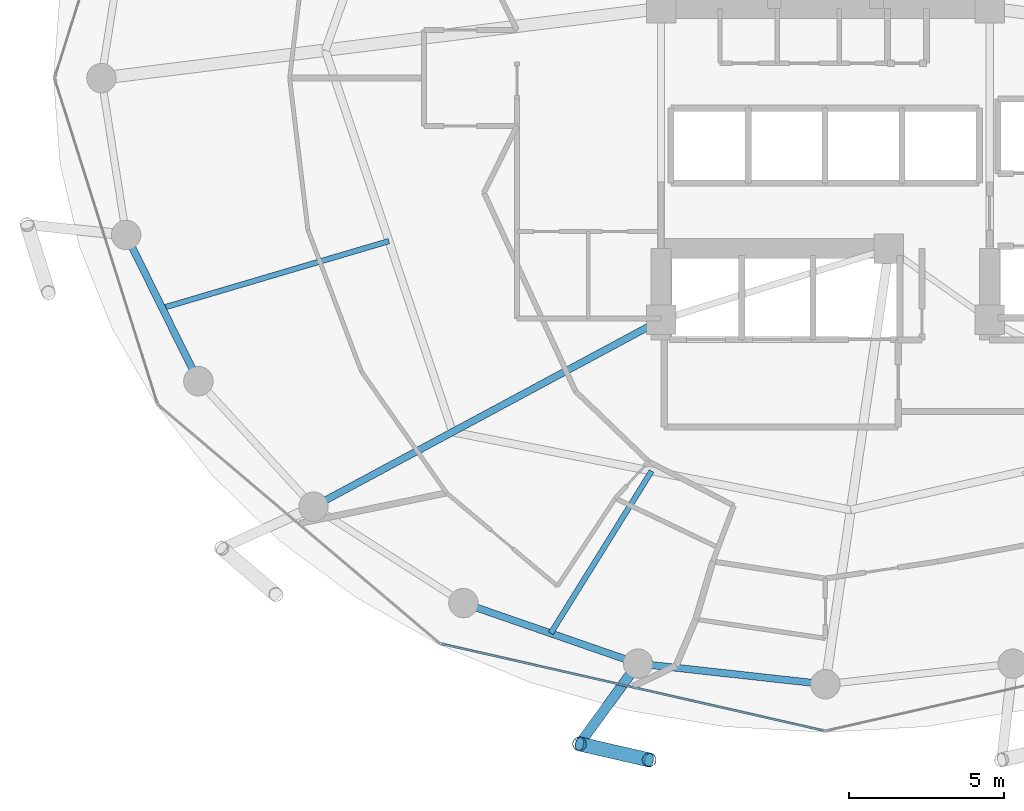
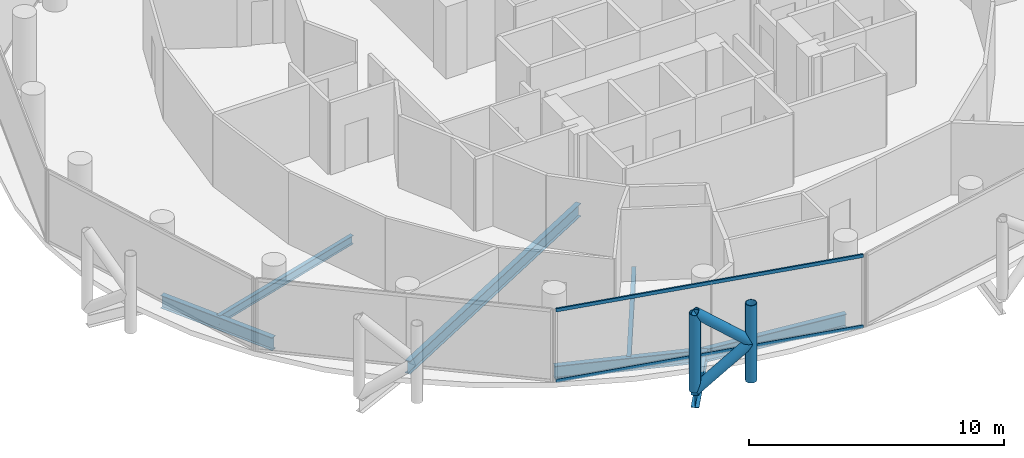
# One storey, part 3 of 26: 7 beams, 6 members, 1 element without a shape of its own.
"""IFC4 building model written with IfcOpenShell, lengths in metres."""

import ifcopenshell
import ifcopenshell.guid

model = None  # the IFC model being written
_history = None  # IfcOwnerHistory: only IFC2X3 demands one
_inside = {}  # id of a spatial element -> (the spatial element, [elements in it])
_under = {}  # id of a project, library or spatial element -> (it, [spatial elements below it])
_declared = {}  # id of a project -> (the project, [libraries it declares])
_typed = {}  # id of a type object -> (the type object, [elements of that type])
_made_of = {}  # id of a material, layer set ... -> (it, [elements and type objects made of it])


def new_model(schema):
    """Start an empty IFC model of exactly this schema.

    Asked for "IFC4X3", IfcOpenShell would pick the latest addendum, in which some entities
    have other attributes; the version numbers below select the first issue.
    IFC2X3 requires an IfcOwnerHistory on every rooted entity: one is made here for all.
    """
    global model, _history
    if schema == "IFC4X3":
        model = ifcopenshell.file(schema_version=(4, 3, 0, 0))
    else:
        model = ifcopenshell.file(schema=schema)
    _inside.clear()
    _under.clear()
    _declared.clear()
    _typed.clear()
    _made_of.clear()
    _history = None
    if model.schema == "IFC2X3":
        org = make("IfcOrganization", Name="unknown")
        user = make(
            "IfcPersonAndOrganization",
            ThePerson=make("IfcPerson", FamilyName="unknown"),
            TheOrganization=org,
        )
        app = make(
            "IfcApplication",
            ApplicationDeveloper=org,
            Version="unknown",
            ApplicationFullName="unknown",
            ApplicationIdentifier="unknown",
        )
        _history = make(
            "IfcOwnerHistory",
            OwningUser=user,
            OwningApplication=app,
            ChangeAction="ADDED",
            CreationDate=0,
        )
    return model


def make(cls, **values):
    """One entity of the class cls with the attributes given. An attribute that is None is left unset."""
    return model.create_entity(
        cls, **{name: value for name, value in values.items() if value is not None}
    )


def rooted(cls, **values):
    """An entity with a GlobalId (a new one), such as an element, a storey or a relation."""
    return make(cls, GlobalId=ifcopenshell.guid.new(), OwnerHistory=_history, **values)


def si_unit(unit_type, name, prefix=None):
    """IfcSIUnit, for example si_unit("LENGTHUNIT", "METRE", prefix="MILLI")."""
    return make("IfcSIUnit", UnitType=unit_type, Prefix=prefix, Name=name)


def assignment(units):
    """IfcUnitAssignment: the units of a project."""
    return None if units is None else make("IfcUnitAssignment", Units=units)


def point(xyz):
    """IfcCartesianPoint."""
    return None if xyz is None else make("IfcCartesianPoint", Coordinates=xyz)


def direction(xyz):
    """IfcDirection."""
    return None if xyz is None else make("IfcDirection", DirectionRatios=xyz)


def frame(location, z_axis=None, x_axis=None):
    """IfcAxis2Placement3D, a coordinate frame: its origin and axes. An axis left out is left unset."""
    return make(
        "IfcAxis2Placement3D",
        Location=point(location),
        Axis=direction(z_axis),
        RefDirection=direction(x_axis),
    )


def frame_2d(location, x_axis=None):
    """IfcAxis2Placement2D, a coordinate frame in the plane: its origin and x axis."""
    return make(
        "IfcAxis2Placement2D", Location=point(location), RefDirection=direction(x_axis)
    )


def origin():
    """The frame at (0, 0, 0) with its axes left unset."""
    return frame((0.0, 0.0, 0.0))


def origin_2d():
    """The frame at (0, 0) in the plane with its x axis left unset."""
    return frame_2d((0.0, 0.0))


def place(relative_to, where):
    """IfcLocalPlacement: puts the frame where relative to a parent placement (None: the world)."""
    return make(
        "IfcLocalPlacement", PlacementRelTo=relative_to, RelativePlacement=where
    )


def context(
    kind, dimensions, precision=None, world=None, true_north=None, identifier=None
):
    """IfcGeometricRepresentationContext, for example the 3D "Model" context."""
    return make(
        "IfcGeometricRepresentationContext",
        ContextIdentifier=identifier,
        ContextType=kind,
        CoordinateSpaceDimension=dimensions,
        Precision=precision,
        WorldCoordinateSystem=world,
        TrueNorth=true_north,
    )


def subcontext(parent, identifier, kind, view, scale=None):
    """IfcGeometricRepresentationSubContext, for example "Body" below "Model"."""
    return make(
        "IfcGeometricRepresentationSubContext",
        ContextIdentifier=identifier,
        ContextType=kind,
        ParentContext=parent,
        TargetScale=scale,
        TargetView=view,
    )


def project(units=None, contexts=None):
    """IfcProject with its units and contexts."""
    return rooted(
        "IfcProject",
        Name="project",
        RepresentationContexts=contexts,
        UnitsInContext=assignment(units),
    )


def spatial(cls, under=None, at=None, **own):
    """A site, building, storey or space (cls), placed at a placement, below another one or the project."""
    s = rooted(cls, ObjectPlacement=at, **own)
    if under is not None:
        _under.setdefault(under.id(), (under, []))[1].append(s)
    return s


def profile(cls, at=None, kind="AREA", **sizes):
    """A parametric profile (cls). Its sizes go by their IFC names, for example OverallWidth=200.0."""
    return make(cls, ProfileType=kind, Position=at, **sizes)


def hollow_rectangle(**sizes):
    """IfcRectangleHollowProfileDef."""
    return profile("IfcRectangleHollowProfileDef", **sizes)


def hollow_circle(**sizes):
    """IfcCircleHollowProfileDef."""
    return profile("IfcCircleHollowProfileDef", **sizes)


def i_section(**sizes):
    """IfcIShapeProfileDef."""
    return profile("IfcIShapeProfileDef", **sizes)


def extrude(swept, where, along, depth):
    """IfcExtrudedAreaSolid: the profile swept, set in the frame where, extruded along a direction by depth."""
    return make(
        "IfcExtrudedAreaSolid",
        SweptArea=swept,
        Position=where,
        ExtrudedDirection=direction(along),
        Depth=depth,
    )


def shape(context_of_items, identifier, shape_type, items):
    """IfcShapeRepresentation: the items that make up one representation, for example the "Body"."""
    return make(
        "IfcShapeRepresentation",
        ContextOfItems=context_of_items,
        RepresentationIdentifier=identifier,
        RepresentationType=shape_type,
        Items=items,
    )


def material(Name=None, Category=None):
    """IfcMaterial."""
    return make("IfcMaterial", Name=Name, Category=Category)


def layer(
    of_material, thickness, ventilated=None, Name=None, Category=None, Priority=None
):
    """IfcMaterialLayer: one layer of a wall or slab, of a material (None: an air gap)."""
    return make(
        "IfcMaterialLayer",
        Material=of_material,
        LayerThickness=thickness,
        IsVentilated=ventilated,
        Name=Name,
        Category=Category,
        Priority=Priority,
    )


def layer_set(layers, Name=None):
    """IfcMaterialLayerSet."""
    return make("IfcMaterialLayerSet", MaterialLayers=layers, LayerSetName=Name)


def material_profile(
    of_material, cross_section, Name=None, Category=None, Priority=None
):
    """IfcMaterialProfile: a cross section and its material."""
    return make(
        "IfcMaterialProfile",
        Name=Name,
        Material=of_material,
        Profile=cross_section,
        Priority=Priority,
        Category=Category,
    )


def profile_set(profiles, Name=None, composite=None):
    """IfcMaterialProfileSet."""
    return make(
        "IfcMaterialProfileSet",
        Name=Name,
        MaterialProfiles=profiles,
        CompositeProfile=composite,
    )


def made_of(thing, what):
    """Note that an element or type object is made of a material, layer set ...; save() writes the relation."""
    if what is not None:
        _made_of.setdefault(what.id(), (what, []))[1].append(thing)
    return thing


def type_object(cls, material=None, **own):
    """A type object (cls), such as IfcWallType, which elements share."""
    return made_of(rooted(cls, **own), material)


def element(
    cls,
    number,
    at=None,
    inside=None,
    cuts=None,
    type_object=None,
    material=None,
    context=None,
    identifier="Body",
    shape_type=None,
    held_by="IfcProductDefinitionShape",
    body=None,
    shapes=None,
    **own,
):
    """One element of the class cls, such as IfcWall. Its Tag is "e" and its number.

    at: its placement. inside: the storey or other place that contains it. cuts: it is an
    opening in that element (IfcRelVoidsElement). A single representation is given by context,
    identifier, shape_type and body (its items); several are given by shapes. held_by: the class
    of the entity that holds the representations. save() writes the other relations.
    """
    e = rooted(cls, Tag="e%d" % number, ObjectPlacement=at, **own)
    if body is not None:
        shapes = [shape(context, identifier, shape_type, body)]
    if shapes is not None:
        e.Representation = make(held_by, Representations=shapes)
    if inside is not None:
        _inside.setdefault(inside.id(), (inside, []))[1].append(e)
    if cuts is not None:
        rooted(
            "IfcRelVoidsElement", RelatingBuildingElement=cuts, RelatedOpeningElement=e
        )
    if type_object is not None:
        _typed.setdefault(type_object.id(), (type_object, []))[1].append(e)
    return made_of(e, material)


def aggregate(whole, parts):
    """IfcRelAggregates: a whole, such as a stair, and the parts it consists of."""
    return rooted("IfcRelAggregates", RelatingObject=whole, RelatedObjects=parts)


def save(model, path):
    """Write the relations noted so far, then the file.

    IfcRelAggregates (storeys below a building ...), IfcRelContainedInSpatialStructure (elements
    in a storey), IfcRelDefinesByType, IfcRelAssociatesMaterial and IfcRelDeclares: one each for
    every whole, place, type object, material and project.
    """
    for whole, parts in _under.values():
        aggregate(whole, parts)
    for where, things in _inside.values():
        rooted(
            "IfcRelContainedInSpatialStructure",
            RelatedElements=things,
            RelatingStructure=where,
        )
    for kind, things in _typed.values():
        rooted("IfcRelDefinesByType", RelatedObjects=things, RelatingType=kind)
    for what, things in _made_of.values():
        rooted("IfcRelAssociatesMaterial", RelatedObjects=things, RelatingMaterial=what)
    for by, libraries in _declared.values():
        rooted("IfcRelDeclares", RelatingContext=by, RelatedDefinitions=libraries)
    model.write(path)


model = new_model("IFC4")

# Units and contexts
model_context = context("Model", 3, precision=1e-05, world=origin(), true_north=direction((0.0, 1.0)))
body_context = subcontext(model_context, "Body", "Model", "MODEL_VIEW")
ifc_project = project(units=[si_unit("LENGTHUNIT", "METRE"), si_unit("AREAUNIT", "SQUARE_METRE"), si_unit("VOLUMEUNIT", "CUBIC_METRE"), si_unit("PLANEANGLEUNIT", "RADIAN"), si_unit("MASSUNIT", "GRAM", prefix="KILO")], contexts=[model_context])

# Site, building, storey
site_placement = place(None, origin())
site = spatial("IfcSite", under=ifc_project, at=site_placement, CompositionType="ELEMENT")
building_placement = place(site_placement, origin())
building = spatial("IfcBuilding", under=site, at=building_placement, Name="Nuhasar Tower", CompositionType="ELEMENT")
storey_placement = place(building_placement, frame((0.0, 0.0, 162.64990234375)))
storey = spatial("IfcBuildingStorey", under=building, at=storey_placement, Name="L39", CompositionType="ELEMENT", Elevation=162.64990234375)

# Beams
ifc_material_1 = material(Name="Steel S355", Category="steel")
ifc_material_profile_1 = material_profile(ifc_material_1, i_section(OverallWidth=0.177978515625, OverallDepth=0.406005859375, WebThickness=0.0078125, FlangeThickness=0.0126953125, at=origin_2d()), Name="W16X40")
ifc_profile_set_1 = profile_set([ifc_material_profile_1], Name="Steel S355")
beam_type_1 = type_object("IfcBeamType", Name="BM-JST-W16X40", PredefinedType="JOIST", material=ifc_profile_set_1)
beam_1_placement = place(storey_placement, frame((33.39697265625, 14.1279296875, -0.452880859375), z_axis=(-0.528139463011, -0.849157645912, 0.0), x_axis=(0.849157645912, -0.528139463011, 0.0)))
element("IfcBeam", 1, at=beam_1_placement, inside=storey, type_object=beam_type_1, Name="L39 Secondary Floor Joist 01", PredefinedType="JOIST", context=body_context, shape_type="SweptSolid", body=[
    extrude(i_section(OverallWidth=0.177978515625, OverallDepth=0.406005859375, WebThickness=0.0078125, FlangeThickness=0.0126953125, at=origin_2d()), origin(), (0.0, 0.0, 1.0), 6.164794921875),
])
beam_2_placement = place(storey_placement, frame((24.922119140625, 21.54296875, -0.452880859375), z_axis=(-0.959013356257, -0.283360869775, 0.0), x_axis=(0.283360869775, -0.959013356257, 0.0)))
element("IfcBeam", 2, at=beam_2_placement, inside=storey, type_object=beam_type_1, Name="L39 Secondary Floor Joist 08", PredefinedType="JOIST", context=body_context, shape_type="SweptSolid", body=[
    extrude(i_section(OverallWidth=0.177978515625, OverallDepth=0.406005859375, WebThickness=0.0078125, FlangeThickness=0.0126953125, at=origin_2d()), origin(), (0.0, 0.0, 1.0), 7.62255859375),
])
ifc_material_profile_2 = material_profile(ifc_material_1, i_section(OverallWidth=0.22900390625, OverallDepth=0.612060546875, WebThickness=0.011962890625, FlangeThickness=0.01953125, at=origin_2d()), Name="W24X84")
ifc_profile_set_2 = profile_set([ifc_material_profile_2], Name="Steel S355")
beam_type_2 = type_object("IfcBeamType", Name="BM-RAD-W24X84", PredefinedType="BEAM", material=ifc_profile_set_2)
beam_3_placement = place(storey_placement, frame((33.699951171875, 19.0, -0.555908203125), z_axis=(-0.880888386928, -0.473324043098, 0.0), x_axis=(0.473324043098, -0.880888386928, 0.0)))
element("IfcBeam", 3, at=beam_3_placement, inside=storey, type_object=beam_type_2, Name="L39 Radial Floor Girder 01", PredefinedType="BEAM", context=body_context, shape_type="SweptSolid", body=[
    extrude(i_section(OverallWidth=0.22900390625, OverallDepth=0.612060546875, WebThickness=0.011962890625, FlangeThickness=0.01953125, at=origin_2d()), origin(), (0.0, 0.0, 1.0), 12.726806640625),
])
ifc_material_profile_3 = material_profile(ifc_material_1, i_section(OverallWidth=0.22998046875, OverallDepth=0.616943359375, WebThickness=0.01318359375, FlangeThickness=0.022216796875, at=origin_2d()), Name="W24X94")
ifc_profile_set_3 = profile_set([ifc_material_profile_3], Name="Steel S355")
beam_type_3 = type_object("IfcBeamType", Name="BM-RING-W24X94", PredefinedType="SPANDREL", material=ifc_profile_set_3)
beam_4_placement = place(storey_placement, frame((16.446044921875, 21.739990234375, -0.558837890625), z_axis=(0.443329327657, -0.896358804966, 0.0), x_axis=(0.896358804966, 0.443329327657, 0.0)))
element("IfcBeam", 4, at=beam_4_placement, inside=storey, type_object=beam_type_3, Name="L39 Perimeter Ring Spandrel 14", PredefinedType="SPANDREL", context=body_context, shape_type="SweptSolid", body=[
    extrude(i_section(OverallWidth=0.22998046875, OverallDepth=0.616943359375, WebThickness=0.01318359375, FlangeThickness=0.022216796875, at=origin_2d()), origin(), (0.0, 0.0, 1.0), 5.26025390625),
])
beam_5_placement = place(storey_placement, frame((27.324951171875, 9.868896484375, -0.558837890625), z_axis=(0.944814057608, -0.327607076458, 0.0), x_axis=(0.327607076458, 0.944814057608, 0.0)))
element("IfcBeam", 5, at=beam_5_placement, inside=storey, type_object=beam_type_3, Name="L39 Perimeter Ring Spandrel 17", PredefinedType="SPANDREL", context=body_context, shape_type="SweptSolid", body=[
    extrude(i_section(OverallWidth=0.22998046875, OverallDepth=0.616943359375, WebThickness=0.01318359375, FlangeThickness=0.022216796875, at=origin_2d()), origin(), (0.0, 0.0, 1.0), 5.9609375),
])
beam_6_placement = place(storey_placement, frame((32.95703125, 7.916015625, -0.558837890625), z_axis=(0.993981289157, -0.109549974015, 0.0), x_axis=(0.109549974015, 0.993981289157, 0.0)))
element("IfcBeam", 6, at=beam_6_placement, inside=storey, type_object=beam_type_3, Name="L39 Perimeter Ring Spandrel 18", PredefinedType="SPANDREL", context=body_context, shape_type="SweptSolid", body=[
    extrude(i_section(OverallWidth=0.22998046875, OverallDepth=0.616943359375, WebThickness=0.01318359375, FlangeThickness=0.022216796875, at=origin_2d()), origin(), (0.0, 0.0, 1.0), 6.07958984375),
])
ifc_material_profile_4 = material_profile(ifc_material_1, i_section(OverallWidth=0.323974609375, OverallDepth=0.611083984375, WebThickness=0.0126953125, FlangeThickness=0.01904296875, at=origin_2d()), Name="W24X104")
ifc_profile_set_4 = profile_set([ifc_material_profile_4], Name="Steel S355")
beam_type_4 = type_object("IfcBeamType", Name="BM-TIE-W24X104", PredefinedType="BEAM", material=ifc_profile_set_4)
beam_7_placement = place(storey_placement, frame((32.95703125, 7.916015625, -0.554931640625), z_axis=(-0.588149050751, -0.808752554309, 0.0), x_axis=(0.808752554309, -0.588149050751, 0.0)))
element("IfcBeam", 7, at=beam_7_placement, inside=storey, type_object=beam_type_4, Name="L39 Exoskeleton Node Tie Beam 09", PredefinedType="BEAM", context=body_context, shape_type="SweptSolid", body=[
    extrude(i_section(OverallWidth=0.323974609375, OverallDepth=0.611083984375, WebThickness=0.0126953125, FlangeThickness=0.01904296875, at=origin_2d()), origin(), (0.0, 0.0, 1.0), 3.205078125),
])

# Curtain wall, members
ifc_material_2 = material(Name="Aluminium 6063-T6", Category="aluminium")
ifc_layer = layer(ifc_material_2, 0.199951171875)
ifc_layer_set = layer_set([ifc_layer], Name="Aluminium 6063-T6")
curtain_wall_type = type_object("IfcCurtainWallType", Name="CW-Z2-HTL", PredefinedType="NOTDEFINED", material=ifc_layer_set)
curtain_wall_placement = place(storey_placement, origin())
curtain_wall = element("IfcCurtainWall", 8, at=curtain_wall_placement, inside=storey, type_object=curtain_wall_type, Name="L39 Unitised Curtain Wall 09", PredefinedType="NOTDEFINED")
ifc_material_profile_5 = material_profile(ifc_material_2, hollow_rectangle(XDim=0.070068359375, YDim=0.159912109375, WallThickness=0.00439453125, at=origin_2d()), Name="CWT-3")
ifc_profile_set_5 = profile_set([ifc_material_profile_5], Name="Aluminium 6063-T6")
member_type_1 = type_object("IfcMemberType", Name="CW-TRN-S3", PredefinedType="USERDEFINED", material=ifc_profile_set_5)
member_1_placement = place(storey_placement, frame((26.63818359375, 8.54638671875, 0.03515625), z_axis=(0.975187615691, -0.221380022142, 0.0), x_axis=(0.221380022142, 0.975187615691, 0.0)))
member_1 = element("IfcMember", 9, at=member_1_placement, type_object=member_type_1, Name="CW-Z2 transom 1.1", ObjectType="TRANSOM", PredefinedType="USERDEFINED", context=body_context, shape_type="SweptSolid", body=[
    extrude(hollow_rectangle(XDim=0.070068359375, YDim=0.159912109375, WallThickness=0.00439453125, at=origin_2d()), origin(), (0.0, 0.0, 1.0), 12.606201171875),
])
member_2_placement = place(storey_placement, frame((26.63818359375, 8.54638671875, 3.4150390625), z_axis=(0.975187615691, -0.221380022142, 0.0), x_axis=(0.221380022142, 0.975187615691, 0.0)))
member_2 = element("IfcMember", 10, at=member_2_placement, type_object=member_type_1, Name="CW-Z2 transom 1.2", ObjectType="TRANSOM", PredefinedType="USERDEFINED", context=body_context, shape_type="SweptSolid", body=[
    extrude(hollow_rectangle(XDim=0.070068359375, YDim=0.159912109375, WallThickness=0.00439453125, at=origin_2d()), origin(), (0.0, 0.0, 1.0), 12.606201171875),
])
aggregate(curtain_wall, [member_1, member_2])

# Members
ifc_material_3 = material(Name="Steel S460", Category="steel")
ifc_material_profile_6 = material_profile(ifc_material_3, hollow_circle(Radius=0.228515625, WallThickness=0.022216796875, at=origin_2d()), Name="HSS457X22.2")
ifc_profile_set_6 = profile_set([ifc_material_profile_6], Name="Steel S460")
member_type_2 = type_object("IfcMemberType", Name="EXO-BRONZE-457", PredefinedType="BRACE", material=ifc_profile_set_6)
for number, where, z_axis, x_axis, name in (
    (11, (31.072021484375, 5.323974609375, 0.0), (0.0, 0.0, 1.0), (1.0, 0.0, 0.0), "L39 Exoskeleton Chord Column EC-09A"),
    (12, (33.31396484375, 4.81005859375, 0.0), (0.0, 0.0, 1.0), (1.0, 0.0, 0.0), "L39 Exoskeleton Chord Column EC-09B"),
):
    element("IfcMember", number, at=place(storey_placement, frame(where, z_axis=z_axis, x_axis=x_axis)), inside=storey, type_object=member_type_2, Name=name, PredefinedType="BRACE", context=body_context, shape_type="SweptSolid", body=[
        extrude(hollow_circle(Radius=0.228515625, WallThickness=0.022216796875, at=origin_2d()), origin(), (0.0, 0.0, 1.0), 3.7001953125),
    ])
for number, where, z_axis, x_axis, name in (
    (13, (31.072021484375, 5.323974609375, 0.0), (0.759510488094, -0.174101010284, 0.626763637022), (0.223432882746, 0.974719316987, 0.0), "L39 Bronze Diagrid Brace W1-09"),
    (14, (33.31396484375, 4.81005859375, 1.85009765625), (-0.759510488094, 0.174101010284, 0.626763637022), (-0.223432882746, -0.974719316987, 0.0), "L39 Bronze Diagrid Brace W2-09"),
):
    element("IfcMember", number, at=place(storey_placement, frame(where, z_axis=z_axis, x_axis=x_axis)), inside=storey, type_object=member_type_2, Name=name, PredefinedType="BRACE", context=body_context, shape_type="SweptSolid", body=[
        extrude(hollow_circle(Radius=0.228515625, WallThickness=0.022216796875, at=origin_2d()), origin(), (0.0, 0.0, 1.0), 2.951904296875),
    ])

save(model, "model.ifc")
